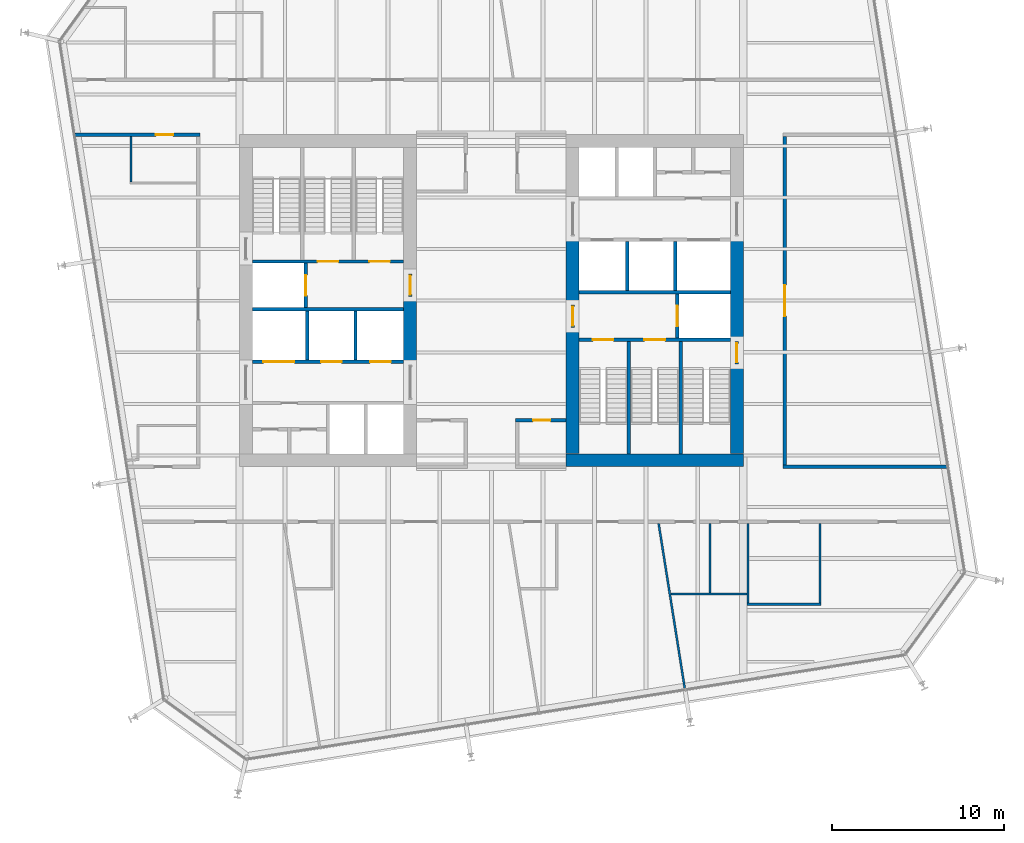
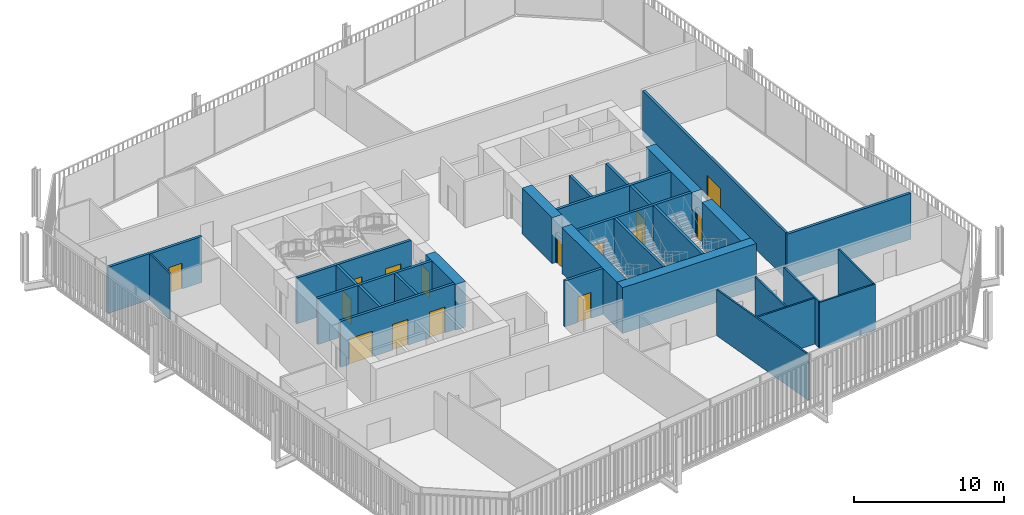
# One storey, part 18 of 21: 33 walls, 15 doors, 15 openings.
"""IFC4 building model written with IfcOpenShell, lengths in metres."""

import ifcopenshell
import ifcopenshell.guid

model = None  # the IFC model being written
_history = None  # IfcOwnerHistory: only IFC2X3 demands one
_inside = {}  # id of a spatial element -> (the spatial element, [elements in it])
_under = {}  # id of a project, library or spatial element -> (it, [spatial elements below it])
_declared = {}  # id of a project -> (the project, [libraries it declares])
_typed = {}  # id of a type object -> (the type object, [elements of that type])
_made_of = {}  # id of a material, layer set ... -> (it, [elements and type objects made of it])


def new_model(schema):
    """Start an empty IFC model of exactly this schema.

    Asked for "IFC4X3", IfcOpenShell would pick the latest addendum, in which some entities
    have other attributes; the version numbers below select the first issue.
    IFC2X3 requires an IfcOwnerHistory on every rooted entity: one is made here for all.
    """
    global model, _history
    if schema == "IFC4X3":
        model = ifcopenshell.file(schema_version=(4, 3, 0, 0))
    else:
        model = ifcopenshell.file(schema=schema)
    _inside.clear()
    _under.clear()
    _declared.clear()
    _typed.clear()
    _made_of.clear()
    _history = None
    if model.schema == "IFC2X3":
        org = make("IfcOrganization", Name="unknown")
        user = make(
            "IfcPersonAndOrganization",
            ThePerson=make("IfcPerson", FamilyName="unknown"),
            TheOrganization=org,
        )
        app = make(
            "IfcApplication",
            ApplicationDeveloper=org,
            Version="unknown",
            ApplicationFullName="unknown",
            ApplicationIdentifier="unknown",
        )
        _history = make(
            "IfcOwnerHistory",
            OwningUser=user,
            OwningApplication=app,
            ChangeAction="ADDED",
            CreationDate=0,
        )
    return model


def make(cls, **values):
    """One entity of the class cls with the attributes given. An attribute that is None is left unset."""
    return model.create_entity(
        cls, **{name: value for name, value in values.items() if value is not None}
    )


def rooted(cls, **values):
    """An entity with a GlobalId (a new one), such as an element, a storey or a relation."""
    return make(cls, GlobalId=ifcopenshell.guid.new(), OwnerHistory=_history, **values)


def si_unit(unit_type, name, prefix=None):
    """IfcSIUnit, for example si_unit("LENGTHUNIT", "METRE", prefix="MILLI")."""
    return make("IfcSIUnit", UnitType=unit_type, Prefix=prefix, Name=name)


def assignment(units):
    """IfcUnitAssignment: the units of a project."""
    return None if units is None else make("IfcUnitAssignment", Units=units)


def point(xyz):
    """IfcCartesianPoint."""
    return None if xyz is None else make("IfcCartesianPoint", Coordinates=xyz)


def direction(xyz):
    """IfcDirection."""
    return None if xyz is None else make("IfcDirection", DirectionRatios=xyz)


def frame(location, z_axis=None, x_axis=None):
    """IfcAxis2Placement3D, a coordinate frame: its origin and axes. An axis left out is left unset."""
    return make(
        "IfcAxis2Placement3D",
        Location=point(location),
        Axis=direction(z_axis),
        RefDirection=direction(x_axis),
    )


def frame_2d(location, x_axis=None):
    """IfcAxis2Placement2D, a coordinate frame in the plane: its origin and x axis."""
    return make(
        "IfcAxis2Placement2D", Location=point(location), RefDirection=direction(x_axis)
    )


def origin():
    """The frame at (0, 0, 0) with its axes left unset."""
    return frame((0.0, 0.0, 0.0))


def place(relative_to, where):
    """IfcLocalPlacement: puts the frame where relative to a parent placement (None: the world)."""
    return make(
        "IfcLocalPlacement", PlacementRelTo=relative_to, RelativePlacement=where
    )


def context(
    kind, dimensions, precision=None, world=None, true_north=None, identifier=None
):
    """IfcGeometricRepresentationContext, for example the 3D "Model" context."""
    return make(
        "IfcGeometricRepresentationContext",
        ContextIdentifier=identifier,
        ContextType=kind,
        CoordinateSpaceDimension=dimensions,
        Precision=precision,
        WorldCoordinateSystem=world,
        TrueNorth=true_north,
    )


def subcontext(parent, identifier, kind, view, scale=None):
    """IfcGeometricRepresentationSubContext, for example "Body" below "Model"."""
    return make(
        "IfcGeometricRepresentationSubContext",
        ContextIdentifier=identifier,
        ContextType=kind,
        ParentContext=parent,
        TargetScale=scale,
        TargetView=view,
    )


def project(units=None, contexts=None):
    """IfcProject with its units and contexts."""
    return rooted(
        "IfcProject",
        Name="project",
        RepresentationContexts=contexts,
        UnitsInContext=assignment(units),
    )


def spatial(cls, under=None, at=None, **own):
    """A site, building, storey or space (cls), placed at a placement, below another one or the project."""
    s = rooted(cls, ObjectPlacement=at, **own)
    if under is not None:
        _under.setdefault(under.id(), (under, []))[1].append(s)
    return s


def profile(cls, at=None, kind="AREA", **sizes):
    """A parametric profile (cls). Its sizes go by their IFC names, for example OverallWidth=200.0."""
    return make(cls, ProfileType=kind, Position=at, **sizes)


def rectangle(**sizes):
    """IfcRectangleProfileDef."""
    return profile("IfcRectangleProfileDef", **sizes)


def extrude(swept, where, along, depth):
    """IfcExtrudedAreaSolid: the profile swept, set in the frame where, extruded along a direction by depth."""
    return make(
        "IfcExtrudedAreaSolid",
        SweptArea=swept,
        Position=where,
        ExtrudedDirection=direction(along),
        Depth=depth,
    )


def shape(context_of_items, identifier, shape_type, items):
    """IfcShapeRepresentation: the items that make up one representation, for example the "Body"."""
    return make(
        "IfcShapeRepresentation",
        ContextOfItems=context_of_items,
        RepresentationIdentifier=identifier,
        RepresentationType=shape_type,
        Items=items,
    )


def material(Name=None, Category=None):
    """IfcMaterial."""
    return make("IfcMaterial", Name=Name, Category=Category)


def layer(
    of_material, thickness, ventilated=None, Name=None, Category=None, Priority=None
):
    """IfcMaterialLayer: one layer of a wall or slab, of a material (None: an air gap)."""
    return make(
        "IfcMaterialLayer",
        Material=of_material,
        LayerThickness=thickness,
        IsVentilated=ventilated,
        Name=Name,
        Category=Category,
        Priority=Priority,
    )


def layer_set(layers, Name=None):
    """IfcMaterialLayerSet."""
    return make("IfcMaterialLayerSet", MaterialLayers=layers, LayerSetName=Name)


def made_of(thing, what):
    """Note that an element or type object is made of a material, layer set ...; save() writes the relation."""
    if what is not None:
        _made_of.setdefault(what.id(), (what, []))[1].append(thing)
    return thing


def type_object(cls, material=None, **own):
    """A type object (cls), such as IfcWallType, which elements share."""
    return made_of(rooted(cls, **own), material)


def element(
    cls,
    number,
    at=None,
    inside=None,
    cuts=None,
    type_object=None,
    material=None,
    context=None,
    identifier="Body",
    shape_type=None,
    held_by="IfcProductDefinitionShape",
    body=None,
    shapes=None,
    **own,
):
    """One element of the class cls, such as IfcWall. Its Tag is "e" and its number.

    at: its placement. inside: the storey or other place that contains it. cuts: it is an
    opening in that element (IfcRelVoidsElement). A single representation is given by context,
    identifier, shape_type and body (its items); several are given by shapes. held_by: the class
    of the entity that holds the representations. save() writes the other relations.
    """
    e = rooted(cls, Tag="e%d" % number, ObjectPlacement=at, **own)
    if body is not None:
        shapes = [shape(context, identifier, shape_type, body)]
    if shapes is not None:
        e.Representation = make(held_by, Representations=shapes)
    if inside is not None:
        _inside.setdefault(inside.id(), (inside, []))[1].append(e)
    if cuts is not None:
        rooted(
            "IfcRelVoidsElement", RelatingBuildingElement=cuts, RelatedOpeningElement=e
        )
    if type_object is not None:
        _typed.setdefault(type_object.id(), (type_object, []))[1].append(e)
    return made_of(e, material)


def fill(opening, filler):
    """IfcRelFillsElement: the door or window that sits in an opening."""
    return rooted(
        "IfcRelFillsElement",
        RelatingOpeningElement=opening,
        RelatedBuildingElement=filler,
    )


def aggregate(whole, parts):
    """IfcRelAggregates: a whole, such as a stair, and the parts it consists of."""
    return rooted("IfcRelAggregates", RelatingObject=whole, RelatedObjects=parts)


def save(model, path):
    """Write the relations noted so far, then the file.

    IfcRelAggregates (storeys below a building ...), IfcRelContainedInSpatialStructure (elements
    in a storey), IfcRelDefinesByType, IfcRelAssociatesMaterial and IfcRelDeclares: one each for
    every whole, place, type object, material and project.
    """
    for whole, parts in _under.values():
        aggregate(whole, parts)
    for where, things in _inside.values():
        rooted(
            "IfcRelContainedInSpatialStructure",
            RelatedElements=things,
            RelatingStructure=where,
        )
    for kind, things in _typed.values():
        rooted("IfcRelDefinesByType", RelatedObjects=things, RelatingType=kind)
    for what, things in _made_of.values():
        rooted("IfcRelAssociatesMaterial", RelatedObjects=things, RelatingMaterial=what)
    for by, libraries in _declared.values():
        rooted("IfcRelDeclares", RelatingContext=by, RelatedDefinitions=libraries)
    model.write(path)


model = new_model("IFC4")

# Units and contexts
model_context = context("Model", 3, precision=1e-05, world=origin(), true_north=direction((0.0, 1.0)))
body_context = subcontext(model_context, "Body", "Model", "MODEL_VIEW")
ifc_project = project(units=[si_unit("LENGTHUNIT", "METRE"), si_unit("AREAUNIT", "SQUARE_METRE"), si_unit("VOLUMEUNIT", "CUBIC_METRE"), si_unit("PLANEANGLEUNIT", "RADIAN"), si_unit("MASSUNIT", "GRAM", prefix="KILO")], contexts=[model_context])

# Site, building, storey
site_placement = place(None, origin())
site = spatial("IfcSite", under=ifc_project, at=site_placement, CompositionType="ELEMENT")
building_placement = place(site_placement, origin())
building = spatial("IfcBuilding", under=site, at=building_placement, Name="Millrace Tower", CompositionType="ELEMENT")
storey_placement = place(building_placement, frame((0.0, 0.0, 164.60009765625)))
storey = spatial("IfcBuildingStorey", under=building, at=storey_placement, Name="L37", CompositionType="ELEMENT", Elevation=164.60009765625)

# Walls
ifc_material_1 = material(Name="Concrete C70", Category="concrete")
ifc_layer_1 = layer(ifc_material_1, 0.75)
ifc_layer_set_1 = layer_set([ifc_layer_1], Name="Concrete C70")
wall_type_1 = type_object("IfcWallType", Name="Core wall 750 Concrete C70", PredefinedType="SHEAR", material=ifc_layer_set_1)
wall_1_placement = place(storey_placement, frame((-4.72509765625, -3.75, 0.0), z_axis=(0.0, 0.0, 1.0), x_axis=(0.0, 1.0, 0.0)))
element("IfcWall", 1, at=wall_1_placement, inside=storey, type_object=wall_type_1, Name="Core wall W L37", PredefinedType="SHEAR", context=body_context, shape_type="SweptSolid", body=[
    extrude(rectangle(XDim=4.0, YDim=0.75, at=frame_2d((2.0, 0.0))), origin(), (0.0, 0.0, 1.0), 3.739990234375),
])
wall_2_placement = place(storey_placement, frame((14.64990234375, -9.27490234375, 0.0), z_axis=(0.0, 0.0, 1.0), x_axis=(-1.0, 0.0, 0.0)))
element("IfcWall", 2, at=wall_2_placement, inside=storey, type_object=wall_type_1, Name="Core wall E L37", PredefinedType="SHEAR", context=body_context, shape_type="SweptSolid", body=[
    extrude(rectangle(XDim=10.2998046875, YDim=0.75, at=frame_2d((5.14990234375, 0.0))), origin(), (0.0, 0.0, 1.0), 3.739990234375),
])
wall_3_placement = place(storey_placement, frame((14.27490234375, 3.75, 0.0), z_axis=(0.0, 0.0, 1.0), x_axis=(0.0, -1.0, 0.0)))
element("IfcWall", 3, at=wall_3_placement, inside=storey, type_object=wall_type_1, Name="Core wall E L37", PredefinedType="SHEAR", context=body_context, shape_type="SweptSolid", body=[
    extrude(rectangle(XDim=6.1298828125, YDim=0.75, at=frame_2d((3.06494140625, 0.0))), origin(), (0.0, 0.0, 1.0), 3.739990234375),
])
wall_4_placement = place(storey_placement, frame((14.27490234375, -3.679931640625, 0.0), z_axis=(0.0, 0.0, 1.0), x_axis=(0.0, -1.0, 0.0)))
element("IfcWall", 4, at=wall_4_placement, inside=storey, type_object=wall_type_1, Name="Core wall E L37", PredefinedType="SHEAR", context=body_context, shape_type="SweptSolid", body=[
    extrude(rectangle(XDim=5.219970703125, YDim=0.75, at=frame_2d((2.60986328125, 0.0))), origin(), (0.0, 0.0, 1.0), 3.739990234375),
])
wall_5_placement = place(storey_placement, frame((4.72509765625, 3.75, 0.0), z_axis=(0.0, 0.0, 1.0), x_axis=(0.0, -1.0, 0.0)))
element("IfcWall", 5, at=wall_5_placement, inside=storey, type_object=wall_type_1, Name="Core wall E L37", PredefinedType="SHEAR", context=body_context, shape_type="SweptSolid", body=[
    extrude(rectangle(XDim=4.0, YDim=0.75, at=frame_2d((2.0, 0.0))), origin(), (0.0, 0.0, 1.0), 3.739990234375),
])
wall_6_placement = place(storey_placement, frame((4.72509765625, -1.550048828125, 0.0), z_axis=(0.0, 0.0, 1.0), x_axis=(0.0, -1.0, 0.0)))
element("IfcWall", 6, at=wall_6_placement, inside=storey, type_object=wall_type_1, Name="Core wall E L37", PredefinedType="SHEAR", context=body_context, shape_type="SweptSolid", body=[
    extrude(rectangle(XDim=7.349853515625, YDim=0.75, at=frame_2d((3.6748046875, 0.0))), origin(), (0.0, 0.0, 1.0), 3.739990234375),
])
ifc_material_2 = material(Name="Masonry partition, fire-rated", Category="masonry")
ifc_layer_2 = layer(ifc_material_2, 0.199951171875)
ifc_layer_set_2 = layer_set([ifc_layer_2], Name="Masonry partition, fire-rated")
wall_type_2 = type_object("IfcWallType", Name="Corridor wall 200", PredefinedType="PARTITIONING", material=ifc_layer_set_2)
wall_7_placement = place(storey_placement, frame((16.949951171875, -9.64990234375, 0.0), z_axis=(0.0, 0.0, 1.0), x_axis=(1.0, 0.0, 0.0)))
element("IfcWall", 7, at=wall_7_placement, inside=storey, type_object=wall_type_2, Name="Corridor wall L37", PredefinedType="PARTITIONING", context=body_context, shape_type="SweptSolid", body=[
    extrude(rectangle(XDim=9.54638671875, YDim=0.199951171875, at=frame_2d((4.773193359375, 0.0))), origin(), (0.0, 0.0, 1.0), 3.739990234375),
])

# Wall, opening, door
wall_8_placement = place(storey_placement, frame((1.39990234375, -6.949951171875, 0.0), z_axis=(0.0, 0.0, 1.0), x_axis=(1.0, 0.0, 0.0)))
wall_8 = element("IfcWall", 8, at=wall_8_placement, inside=storey, type_object=wall_type_2, Name="Corridor wall L37", PredefinedType="PARTITIONING", context=body_context, shape_type="SweptSolid", body=[
    extrude(rectangle(XDim=2.9501953125, YDim=0.199951171875, at=frame_2d((1.47509765625, 0.0))), origin(), (0.0, 0.0, 1.0), 3.739990234375),
])
opening_1_placement = place(wall_8_placement, frame((1.02490234375, 0.0, 0.0)))
opening_1 = element("IfcOpeningElement", 9, at=opening_1_placement, cuts=wall_8, Name="Opening 37-P004", PredefinedType="OPENING", context=body_context, shape_type="SweptSolid", body=[
    extrude(rectangle(XDim=1.0, YDim=2.10009765625, at=frame_2d((0.5, 1.050048828125))), frame((0.0, 0.10986328125, 0.0), z_axis=(0.0, -1.0, 0.0), x_axis=(1.0, 0.0, 0.0)), (0.0, 0.0, 1.0), 0.219970703125),
])
ifc_material_3 = material(Name="Steel door set, fire-rated", Category="steel")
door_type_1 = type_object("IfcDoorType", Name="Corridor door 1000 x 2100", OperationType="SINGLE_SWING_LEFT", PredefinedType="DOOR", material=ifc_material_3)
door_1_placement = place(opening_1_placement, frame((1.0, 0.0, 0.0), z_axis=(0.0, 0.0, 1.0), x_axis=(-1.0, 0.0, 0.0)))
door_1 = element("IfcDoor", 10, at=door_1_placement, inside=storey, type_object=door_type_1, Name="Door 37-P004", OperationType="SINGLE_SWING_LEFT", OverallHeight=2.10009765625, OverallWidth=1.0, PredefinedType="DOOR", context=body_context, shape_type="SweptSolid", body=[
    extrude(rectangle(XDim=1.0, YDim=2.10009765625, at=frame_2d((0.5, 1.050048828125))), frame((0.0, 0.02490234375, 0.0), z_axis=(0.0, -1.0, 0.0), x_axis=(1.0, 0.0, 0.0)), (0.0, 0.0, 1.0), 0.050048828125),
])
fill(opening_1, door_1)

wall_9_placement = place(storey_placement, frame((-24.20703125, 9.64990234375, 0.0), z_axis=(0.0, 0.0, 1.0), x_axis=(1.0, 0.0, 0.0)))
wall_9 = element("IfcWall", 11, at=wall_9_placement, inside=storey, type_object=wall_type_2, Name="Corridor wall L37", PredefinedType="PARTITIONING", context=body_context, shape_type="SweptSolid", body=[
    extrude(rectangle(XDim=7.257080078125, YDim=0.199951171875, at=frame_2d((3.62841796875, 0.0))), origin(), (0.0, 0.0, 1.0), 3.739990234375),
])
opening_2_placement = place(wall_9_placement, frame((4.70703125, 0.0, 0.0)))
opening_2 = element("IfcOpeningElement", 12, at=opening_2_placement, cuts=wall_9, Name="Opening 37-P021", PredefinedType="OPENING", context=body_context, shape_type="SweptSolid", body=[
    extrude(rectangle(XDim=1.0, YDim=2.10009765625, at=frame_2d((0.5, 1.050048828125))), frame((0.0, 0.10986328125, 0.0), z_axis=(0.0, -1.0, 0.0), x_axis=(1.0, 0.0, 0.0)), (0.0, 0.0, 1.0), 0.219970703125),
])
door_2_placement = place(opening_2_placement, frame((1.0, 0.0, 0.0), z_axis=(0.0, 0.0, 1.0), x_axis=(-1.0, 0.0, 0.0)))
door_2 = element("IfcDoor", 13, at=door_2_placement, inside=storey, type_object=door_type_1, Name="Door 37-P021", OperationType="SINGLE_SWING_LEFT", OverallHeight=2.10009765625, OverallWidth=1.0, PredefinedType="DOOR", context=body_context, shape_type="SweptSolid", body=[
    extrude(rectangle(XDim=1.0, YDim=2.10009765625, at=frame_2d((0.5, 1.050048828125))), frame((0.0, 0.02490234375, 0.0), z_axis=(0.0, -1.0, 0.0), x_axis=(1.0, 0.0, 0.0)), (0.0, 0.0, 1.0), 0.050048828125),
])
fill(opening_2, door_2)

wall_10_placement = place(storey_placement, frame((17.050048828125, -9.550048828125, 0.0), z_axis=(0.0, 0.0, 1.0), x_axis=(0.0, 1.0, 0.0)))
wall_10 = element("IfcWall", 14, at=wall_10_placement, inside=storey, type_object=wall_type_2, Name="Corridor wall L37", PredefinedType="PARTITIONING", context=body_context, shape_type="SweptSolid", body=[
    extrude(rectangle(XDim=19.10009765625, YDim=0.199951171875, at=frame_2d((9.550048828125, 0.0))), origin(), (0.0, 0.0, 1.0), 3.739990234375),
])
opening_3_placement = place(wall_10_placement, frame((8.64990234375, 0.0, 0.0)))
opening_3 = element("IfcOpeningElement", 15, at=opening_3_placement, cuts=wall_10, Name="Opening 37-P009", PredefinedType="OPENING", context=body_context, shape_type="SweptSolid", body=[
    extrude(rectangle(XDim=1.800048828125, YDim=2.10009765625, at=frame_2d((0.89990234375, 1.050048828125))), frame((0.0, 0.10986328125, 0.0), z_axis=(0.0, -1.0, 0.0), x_axis=(1.0, 0.0, 0.0)), (0.0, 0.0, 1.0), 0.219970703125),
])
ifc_material_4 = material(Name="Steel door set, fire-rated", Category="steel")
door_type_2 = type_object("IfcDoorType", Name="Corridor door 1800 x 2100", OperationType="DOUBLE_DOOR_SINGLE_SWING", PredefinedType="DOOR", material=ifc_material_4)
door_3_placement = place(opening_3_placement, origin())
door_3 = element("IfcDoor", 16, at=door_3_placement, inside=storey, type_object=door_type_2, Name="Door 37-P009", OperationType="DOUBLE_DOOR_SINGLE_SWING", OverallHeight=2.10009765625, OverallWidth=1.800048828125, PredefinedType="DOOR", context=body_context, shape_type="SweptSolid", body=[
    extrude(rectangle(XDim=1.800048828125, YDim=2.10009765625, at=frame_2d((0.89990234375, 1.050048828125))), frame((0.0, 0.02490234375, 0.0), z_axis=(0.0, -1.0, 0.0), x_axis=(1.0, 0.0, 0.0)), (0.0, 0.0, 1.0), 0.050048828125),
])
fill(opening_3, door_3)

# Wall, openings, doors
ifc_material_5 = material(Name="Masonry partition, fire-rated", Category="masonry")
ifc_layer_3 = layer(ifc_material_5, 0.199951171875)
ifc_layer_set_3 = layer_set([ifc_layer_3], Name="Masonry partition, fire-rated")
wall_type_3 = type_object("IfcWallType", Name="Lift shaft wall 200", PredefinedType="PARTITIONING", material=ifc_layer_set_3)
wall_11_placement = place(storey_placement, frame((-13.89990234375, -3.550048828125, 0.0), z_axis=(0.0, 0.0, 1.0), x_axis=(1.0, 0.0, 0.0)))
wall_11 = element("IfcWall", 17, at=wall_11_placement, inside=storey, type_object=wall_type_3, Name="Lift shaft wall W L37", PredefinedType="PARTITIONING", context=body_context, shape_type="SweptSolid", body=[
    extrude(rectangle(XDim=8.7998046875, YDim=0.199951171875, at=frame_2d((4.39990234375, 0.0))), origin(), (0.0, 0.0, 1.0), 3.739990234375),
])
opening_4_placement = place(wall_11_placement, frame((0.64990234375, 0.0, 0.0)))
opening_4 = element("IfcOpeningElement", 18, at=opening_4_placement, cuts=wall_11, Name="Opening 37-LD05", PredefinedType="OPENING", context=body_context, shape_type="SweptSolid", body=[
    extrude(rectangle(XDim=1.800048828125, YDim=2.10009765625, at=frame_2d((0.89990234375, 1.050048828125))), frame((0.0, 0.10986328125, 0.0), z_axis=(0.0, -1.0, 0.0), x_axis=(1.0, 0.0, 0.0)), (0.0, 0.0, 1.0), 0.219970703125),
])
opening_5_placement = place(wall_11_placement, frame((4.0, 0.0, 0.0)))
opening_5 = element("IfcOpeningElement", 19, at=opening_5_placement, cuts=wall_11, Name="Opening 37-LD06", PredefinedType="OPENING", context=body_context, shape_type="SweptSolid", body=[
    extrude(rectangle(XDim=1.199951171875, YDim=2.10009765625, at=frame_2d((0.60009765625, 1.050048828125))), frame((0.0, 0.10986328125, 0.0), z_axis=(0.0, -1.0, 0.0), x_axis=(1.0, 0.0, 0.0)), (0.0, 0.0, 1.0), 0.219970703125),
])
opening_6_placement = place(wall_11_placement, frame((6.85009765625, 0.0, 0.0)))
opening_6 = element("IfcOpeningElement", 20, at=opening_6_placement, cuts=wall_11, Name="Opening 37-LD07", PredefinedType="OPENING", context=body_context, shape_type="SweptSolid", body=[
    extrude(rectangle(XDim=1.199951171875, YDim=2.10009765625, at=frame_2d((0.60009765625, 1.050048828125))), frame((0.0, 0.10986328125, 0.0), z_axis=(0.0, -1.0, 0.0), x_axis=(1.0, 0.0, 0.0)), (0.0, 0.0, 1.0), 0.219970703125),
])
ifc_material_6 = material(Name="Stainless steel, fire-rated", Category="steel")
door_type_3 = type_object("IfcDoorType", Name="Lift landing door 1200 x 2100", OperationType="DOUBLE_DOOR_SLIDING", PredefinedType="DOOR", material=ifc_material_6)
door_4_placement = place(opening_5_placement, origin())
door_4 = element("IfcDoor", 21, at=door_4_placement, inside=storey, type_object=door_type_3, Name="Lift landing door LF6 L37", OperationType="DOUBLE_DOOR_SLIDING", OverallHeight=2.10009765625, OverallWidth=1.199951171875, PredefinedType="DOOR", context=body_context, shape_type="SweptSolid", body=[
    extrude(rectangle(XDim=1.199951171875, YDim=2.10009765625, at=frame_2d((0.60009765625, 1.050048828125))), frame((0.0, 0.02490234375, 0.0), z_axis=(0.0, -1.0, 0.0), x_axis=(1.0, 0.0, 0.0)), (0.0, 0.0, 1.0), 0.050048828125),
])
fill(opening_5, door_4)
door_5_placement = place(opening_6_placement, origin())
door_5 = element("IfcDoor", 22, at=door_5_placement, inside=storey, type_object=door_type_3, Name="Lift landing door LF7 L37", OperationType="DOUBLE_DOOR_SLIDING", OverallHeight=2.10009765625, OverallWidth=1.199951171875, PredefinedType="DOOR", context=body_context, shape_type="SweptSolid", body=[
    extrude(rectangle(XDim=1.199951171875, YDim=2.10009765625, at=frame_2d((0.60009765625, 1.050048828125))), frame((0.0, 0.02490234375, 0.0), z_axis=(0.0, -1.0, 0.0), x_axis=(1.0, 0.0, 0.0)), (0.0, 0.0, 1.0), 0.050048828125),
])
fill(opening_6, door_5)
ifc_material_7 = material(Name="Stainless steel, fire-rated", Category="steel")
door_type_4 = type_object("IfcDoorType", Name="Lift landing door 1800 x 2100", OperationType="DOUBLE_DOOR_SLIDING", PredefinedType="DOOR", material=ifc_material_7)
door_6_placement = place(opening_4_placement, origin())
door_6 = element("IfcDoor", 23, at=door_6_placement, inside=storey, type_object=door_type_4, Name="Lift landing door LF5 L37", OperationType="DOUBLE_DOOR_SLIDING", OverallHeight=2.10009765625, OverallWidth=1.800048828125, PredefinedType="DOOR", context=body_context, shape_type="SweptSolid", body=[
    extrude(rectangle(XDim=1.800048828125, YDim=2.10009765625, at=frame_2d((0.89990234375, 1.050048828125))), frame((0.0, 0.02490234375, 0.0), z_axis=(0.0, -1.0, 0.0), x_axis=(1.0, 0.0, 0.0)), (0.0, 0.0, 1.0), 0.050048828125),
])
fill(opening_4, door_6)

# Wall
wall_12_placement = place(storey_placement, frame((-13.89990234375, -0.5, 0.0), z_axis=(0.0, 0.0, 1.0), x_axis=(1.0, 0.0, 0.0)))
element("IfcWall", 24, at=wall_12_placement, inside=storey, type_object=wall_type_3, Name="Lift shaft wall W L37", PredefinedType="PARTITIONING", context=body_context, shape_type="SweptSolid", body=[
    extrude(rectangle(XDim=8.7998046875, YDim=0.199951171875, at=frame_2d((4.39990234375, 0.0))), origin(), (0.0, 0.0, 1.0), 3.739990234375),
])

# Wall, opening, door
wall_13_placement = place(storey_placement, frame((-10.800048828125, -0.39990234375, 0.0), z_axis=(0.0, 0.0, 1.0), x_axis=(0.0, 1.0, 0.0)))
wall_13 = element("IfcWall", 25, at=wall_13_placement, inside=storey, type_object=wall_type_3, Name="Lift shaft wall W L37", PredefinedType="PARTITIONING", context=body_context, shape_type="SweptSolid", body=[
    extrude(rectangle(XDim=2.579833984375, YDim=0.199951171875, at=frame_2d((1.2900390625, 0.0))), origin(), (0.0, 0.0, 1.0), 3.739990234375),
])
opening_7_placement = place(wall_13_placement, frame((0.68994140625, 0.0, 0.0)))
opening_7 = element("IfcOpeningElement", 26, at=opening_7_placement, cuts=wall_13, Name="Opening 37-LD08", PredefinedType="OPENING", context=body_context, shape_type="SweptSolid", body=[
    extrude(rectangle(XDim=1.199951171875, YDim=2.10009765625, at=frame_2d((0.60009765625, 1.050048828125))), frame((0.0, 0.10986328125, 0.0), z_axis=(0.0, -1.0, 0.0), x_axis=(1.0, 0.0, 0.0)), (0.0, 0.0, 1.0), 0.219970703125),
])
door_7_placement = place(opening_7_placement, origin())
door_7 = element("IfcDoor", 27, at=door_7_placement, inside=storey, type_object=door_type_3, Name="Lift landing door LF8 L37", OperationType="DOUBLE_DOOR_SLIDING", OverallHeight=2.10009765625, OverallWidth=1.199951171875, PredefinedType="DOOR", context=body_context, shape_type="SweptSolid", body=[
    extrude(rectangle(XDim=1.199951171875, YDim=2.10009765625, at=frame_2d((0.60009765625, 1.050048828125))), frame((0.0, 0.02490234375, 0.0), z_axis=(0.0, -1.0, 0.0), x_axis=(1.0, 0.0, 0.0)), (0.0, 0.0, 1.0), 0.050048828125),
])
fill(opening_7, door_7)

# Walls
for number, where, z_axis, x_axis, name in (
    (28, (-10.699951171875, -3.449951171875, 0.0), (0.0, 0.0, 1.0), (0.0, 1.0, 0.0), "Lift shaft wall W L37"),
    (29, (-7.89990234375, -3.449951171875, 0.0), (0.0, 0.0, 1.0), (0.0, 1.0, 0.0), "Lift shaft wall W L37"),
):
    element("IfcWall", number, at=place(storey_placement, frame(where, z_axis=z_axis, x_axis=x_axis)), inside=storey, type_object=wall_type_3, Name=name, PredefinedType="PARTITIONING", context=body_context, shape_type="SweptSolid", body=[
        extrude(rectangle(XDim=2.849853515625, YDim=0.199951171875, at=frame_2d((1.4248046875, 0.0))), origin(), (0.0, 0.0, 1.0), 3.739990234375),
    ])
wall_14_placement = place(storey_placement, frame((13.89990234375, 0.5, 0.0), z_axis=(0.0, 0.0, 1.0), x_axis=(-1.0, 0.0, 0.0)))
element("IfcWall", 30, at=wall_14_placement, inside=storey, type_object=wall_type_3, Name="Lift shaft wall E L37", PredefinedType="PARTITIONING", context=body_context, shape_type="SweptSolid", body=[
    extrude(rectangle(XDim=8.7998046875, YDim=0.199951171875, at=frame_2d((4.39990234375, 0.0))), origin(), (0.0, 0.0, 1.0), 3.739990234375),
])

# Wall, opening, door
wall_15_placement = place(storey_placement, frame((10.800048828125, 0.39990234375, 0.0), z_axis=(0.0, 0.0, 1.0), x_axis=(0.0, -1.0, 0.0)))
wall_15 = element("IfcWall", 31, at=wall_15_placement, inside=storey, type_object=wall_type_3, Name="Lift shaft wall E L37", PredefinedType="PARTITIONING", context=body_context, shape_type="SweptSolid", body=[
    extrude(rectangle(XDim=2.579833984375, YDim=0.199951171875, at=frame_2d((1.2900390625, 0.0))), origin(), (0.0, 0.0, 1.0), 3.739990234375),
])
opening_8_placement = place(wall_15_placement, frame((0.68994140625, 0.0, 0.0)))
opening_8 = element("IfcOpeningElement", 32, at=opening_8_placement, cuts=wall_15, Name="Opening 37-LD16", PredefinedType="OPENING", context=body_context, shape_type="SweptSolid", body=[
    extrude(rectangle(XDim=1.199951171875, YDim=2.10009765625, at=frame_2d((0.60009765625, 1.050048828125))), frame((0.0, 0.10986328125, 0.0), z_axis=(0.0, -1.0, 0.0), x_axis=(1.0, 0.0, 0.0)), (0.0, 0.0, 1.0), 0.219970703125),
])
door_8_placement = place(opening_8_placement, origin())
door_8 = element("IfcDoor", 33, at=door_8_placement, inside=storey, type_object=door_type_3, Name="Lift landing door LF16 L37", OperationType="DOUBLE_DOOR_SLIDING", OverallHeight=2.10009765625, OverallWidth=1.199951171875, PredefinedType="DOOR", context=body_context, shape_type="SweptSolid", body=[
    extrude(rectangle(XDim=1.199951171875, YDim=2.10009765625, at=frame_2d((0.60009765625, 1.050048828125))), frame((0.0, 0.02490234375, 0.0), z_axis=(0.0, -1.0, 0.0), x_axis=(1.0, 0.0, 0.0)), (0.0, 0.0, 1.0), 0.050048828125),
])
fill(opening_8, door_8)

# Walls
for number, where, z_axis, x_axis, name in (
    (34, (10.699951171875, 3.449951171875, 0.0), (0.0, 0.0, 1.0), (0.0, -1.0, 0.0), "Lift shaft wall E L37"),
    (35, (7.89990234375, 3.449951171875, 0.0), (0.0, 0.0, 1.0), (0.0, -1.0, 0.0), "Lift shaft wall E L37"),
):
    element("IfcWall", number, at=place(storey_placement, frame(where, z_axis=z_axis, x_axis=x_axis)), inside=storey, type_object=wall_type_3, Name=name, PredefinedType="PARTITIONING", context=body_context, shape_type="SweptSolid", body=[
        extrude(rectangle(XDim=2.849853515625, YDim=0.199951171875, at=frame_2d((1.4248046875, 0.0))), origin(), (0.0, 0.0, 1.0), 3.739990234375),
    ])

# Wall, opening, door
ifc_material_8 = material(Name="Masonry partition, fire-rated", Category="masonry")
ifc_layer_4 = layer(ifc_material_8, 0.199951171875)
ifc_layer_set_4 = layer_set([ifc_layer_4], Name="Masonry partition, fire-rated")
wall_type_4 = type_object("IfcWallType", Name="Lobby wall 200", PredefinedType="PARTITIONING", material=ifc_layer_set_4)
wall_16_placement = place(storey_placement, frame((-4.72509765625, 0.25, 0.0), z_axis=(0.0, 0.0, 1.0), x_axis=(0.0, 1.0, 0.0)))
wall_16 = element("IfcWall", 36, at=wall_16_placement, inside=storey, type_object=wall_type_4, Name="Lobby wall W L37", PredefinedType="PARTITIONING", context=body_context, shape_type="SweptSolid", body=[
    extrude(rectangle(XDim=1.300048828125, YDim=0.199951171875, at=frame_2d((0.64990234375, 0.0))), origin(), (0.0, 0.0, 1.0), 2.39990234375),
])
opening_9_placement = place(wall_16_placement, frame((0.10009765625, 0.0, 0.0)))
opening_9 = element("IfcOpeningElement", 37, at=opening_9_placement, cuts=wall_16, Name="Opening 37-C004", PredefinedType="OPENING", context=body_context, shape_type="SweptSolid", body=[
    extrude(rectangle(XDim=1.10009765625, YDim=2.10009765625, at=frame_2d((0.550048828125, 1.050048828125))), frame((0.0, 0.10986328125, 0.0), z_axis=(0.0, -1.0, 0.0), x_axis=(1.0, 0.0, 0.0)), (0.0, 0.0, 1.0), 0.219970703125),
])
ifc_material_9 = material(Name="Steel door, fire-rated", Category="steel")
door_type_5 = type_object("IfcDoorType", Name="Lobby door 1100 x 2100", OperationType="SINGLE_SWING_LEFT", PredefinedType="DOOR", material=ifc_material_9)
door_9_placement = place(opening_9_placement, origin())
door_9 = element("IfcDoor", 38, at=door_9_placement, inside=storey, type_object=door_type_5, Name="Lobby door 37-C004", OperationType="SINGLE_SWING_RIGHT", OverallHeight=2.10009765625, OverallWidth=1.10009765625, PredefinedType="DOOR", context=body_context, shape_type="SweptSolid", body=[
    extrude(rectangle(XDim=1.10009765625, YDim=2.10009765625, at=frame_2d((0.550048828125, 1.050048828125))), frame((0.0, 0.02490234375, 0.0), z_axis=(0.0, -1.0, 0.0), x_axis=(1.0, 0.0, 0.0)), (0.0, 0.0, 1.0), 0.050048828125),
])
fill(opening_9, door_9)

wall_17_placement = place(storey_placement, frame((4.72509765625, -0.25, 0.0), z_axis=(0.0, 0.0, 1.0), x_axis=(0.0, -1.0, 0.0)))
wall_17 = element("IfcWall", 39, at=wall_17_placement, inside=storey, type_object=wall_type_4, Name="Lobby wall E L37", PredefinedType="PARTITIONING", context=body_context, shape_type="SweptSolid", body=[
    extrude(rectangle(XDim=1.300048828125, YDim=0.199951171875, at=frame_2d((0.64990234375, 0.0))), origin(), (0.0, 0.0, 1.0), 2.39990234375),
])
opening_10_placement = place(wall_17_placement, frame((0.10009765625, 0.0, 0.0)))
opening_10 = element("IfcOpeningElement", 40, at=opening_10_placement, cuts=wall_17, Name="Opening 37-C013", PredefinedType="OPENING", context=body_context, shape_type="SweptSolid", body=[
    extrude(rectangle(XDim=1.10009765625, YDim=2.10009765625, at=frame_2d((0.550048828125, 1.050048828125))), frame((0.0, 0.10986328125, 0.0), z_axis=(0.0, -1.0, 0.0), x_axis=(1.0, 0.0, 0.0)), (0.0, 0.0, 1.0), 0.219970703125),
])
door_10_placement = place(opening_10_placement, origin())
door_10 = element("IfcDoor", 41, at=door_10_placement, inside=storey, type_object=door_type_5, Name="Lobby door 37-C013", OperationType="SINGLE_SWING_LEFT", OverallHeight=2.10009765625, OverallWidth=1.10009765625, PredefinedType="DOOR", context=body_context, shape_type="SweptSolid", body=[
    extrude(rectangle(XDim=1.10009765625, YDim=2.10009765625, at=frame_2d((0.550048828125, 1.050048828125))), frame((0.0, 0.02490234375, 0.0), z_axis=(0.0, -1.0, 0.0), x_axis=(1.0, 0.0, 0.0)), (0.0, 0.0, 1.0), 0.050048828125),
])
fill(opening_10, door_10)

# Walls
ifc_material_10 = material(Name="Gypsum board partition")
ifc_layer_5 = layer(ifc_material_10, 0.1201171875)
ifc_layer_set_5 = layer_set([ifc_layer_5], Name="Gypsum board partition")
wall_type_5 = type_object("IfcWallType", Name="Partition wall 120", PredefinedType="PARTITIONING", material=ifc_layer_set_5)
wall_18_placement = place(storey_placement, frame((9.724853515625, -12.948974609375, 0.0), z_axis=(0.0, 0.0, 1.0), x_axis=(0.156559017044, -0.987668605445, 0.0)))
element("IfcWall", 42, at=wall_18_placement, inside=storey, type_object=wall_type_5, Name="Partition wall L37", PredefinedType="PARTITIONING", context=body_context, shape_type="SweptSolid", body=[
    extrude(rectangle(XDim=9.752685546875, YDim=0.1201171875, at=frame_2d((4.87646484375, 0.0))), origin(), (0.0, 0.0, 1.0), 3.739990234375),
])
wall_19_placement = place(storey_placement, frame((14.85009765625, -17.64990234375, 0.0), z_axis=(0.0, 0.0, 1.0), x_axis=(1.0, 0.0, 0.0)))
element("IfcWall", 43, at=wall_19_placement, inside=storey, type_object=wall_type_5, Name="Partition wall L37", PredefinedType="PARTITIONING", context=body_context, shape_type="SweptSolid", body=[
    extrude(rectangle(XDim=4.31982421875, YDim=0.1201171875, at=frame_2d((2.159912109375, 0.0))), origin(), (0.0, 0.0, 1.0), 3.739990234375),
])
wall_20_placement = place(storey_placement, frame((10.435546875, -17.050048828125, 0.0), z_axis=(0.0, 0.0, 1.0), x_axis=(1.0, 0.0, 0.0)))
element("IfcWall", 44, at=wall_20_placement, inside=storey, type_object=wall_type_5, Name="Partition wall L37", PredefinedType="PARTITIONING", context=body_context, shape_type="SweptSolid", body=[
    extrude(rectangle(XDim=4.41455078125, YDim=0.1201171875, at=frame_2d((2.207275390625, 0.0))), origin(), (0.0, 0.0, 1.0), 3.739990234375),
])
for number, where, z_axis, x_axis, name in (
    (45, (19.110107421875, -17.590087890625, 0.0), (0.0, 0.0, 1.0), (0.0, 1.0, 0.0), "Partition wall L37"),
    (46, (14.909912109375, -17.590087890625, 0.0), (0.0, 0.0, 1.0), (0.0, 1.0, 0.0), "Partition wall L37"),
):
    element("IfcWall", number, at=place(storey_placement, frame(where, z_axis=z_axis, x_axis=x_axis)), inside=storey, type_object=wall_type_5, Name=name, PredefinedType="PARTITIONING", context=body_context, shape_type="SweptSolid", body=[
        extrude(rectangle(XDim=4.64013671875, YDim=0.1201171875, at=frame_2d((2.320068359375, 0.0))), origin(), (0.0, 0.0, 1.0), 3.739990234375),
    ])
wall_21_placement = place(storey_placement, frame((12.7099609375, -16.989990234375, 0.0), z_axis=(0.0, 0.0, 1.0), x_axis=(0.0, 1.0, 0.0)))
element("IfcWall", 47, at=wall_21_placement, inside=storey, type_object=wall_type_5, Name="Partition wall L37", PredefinedType="PARTITIONING", context=body_context, shape_type="SweptSolid", body=[
    extrude(rectangle(XDim=4.0400390625, YDim=0.1201171875, at=frame_2d((2.02001953125, 0.0))), origin(), (0.0, 0.0, 1.0), 3.739990234375),
])
wall_22_placement = place(storey_placement, frame((-20.949951171875, 6.909912109375, 0.0), z_axis=(0.0, 0.0, 1.0), x_axis=(0.0, 1.0, 0.0)))
element("IfcWall", 48, at=wall_22_placement, inside=storey, type_object=wall_type_5, Name="Partition wall L37", PredefinedType="PARTITIONING", context=body_context, shape_type="SweptSolid", body=[
    extrude(rectangle(XDim=2.64013671875, YDim=0.1201171875, at=frame_2d((1.320068359375, 0.0))), origin(), (0.0, 0.0, 1.0), 3.739990234375),
])

# Wall, openings, doors
ifc_material_11 = material(Name="Concrete C40", Category="concrete")
ifc_layer_6 = layer(ifc_material_11, 0.199951171875)
ifc_layer_set_6 = layer_set([ifc_layer_6], Name="Concrete C40")
wall_type_6 = type_object("IfcWallType", Name="Stair enclosure wall 200 Concrete C40", PredefinedType="SHEAR", material=ifc_layer_set_6)
wall_23_placement = place(storey_placement, frame((-13.89990234375, 2.280029296875, 0.0), z_axis=(0.0, 0.0, 1.0), x_axis=(1.0, 0.0, 0.0)))
wall_23 = element("IfcWall", 49, at=wall_23_placement, inside=storey, type_object=wall_type_6, Name="Stair enclosure wall W L37", PredefinedType="SHEAR", context=body_context, shape_type="SweptSolid", body=[
    extrude(rectangle(XDim=8.7998046875, YDim=0.199951171875, at=frame_2d((4.39990234375, 0.0))), origin(), (0.0, 0.0, 1.0), 3.739990234375),
])
opening_11_placement = place(wall_23_placement, frame((3.800048828125, 0.0, 0.0)))
opening_11 = element("IfcOpeningElement", 50, at=opening_11_placement, cuts=wall_23, Name="Opening 37-C008", PredefinedType="OPENING", context=body_context, shape_type="SweptSolid", body=[
    extrude(rectangle(XDim=1.199951171875, YDim=2.10009765625, at=frame_2d((0.60009765625, 1.050048828125))), frame((0.0, 0.10986328125, 0.0), z_axis=(0.0, -1.0, 0.0), x_axis=(1.0, 0.0, 0.0)), (0.0, 0.0, 1.0), 0.219970703125),
])
opening_12_placement = place(wall_23_placement, frame((6.800048828125, 0.0, 0.0)))
opening_12 = element("IfcOpeningElement", 51, at=opening_12_placement, cuts=wall_23, Name="Opening 37-C009", PredefinedType="OPENING", context=body_context, shape_type="SweptSolid", body=[
    extrude(rectangle(XDim=1.199951171875, YDim=2.10009765625, at=frame_2d((0.60009765625, 1.050048828125))), frame((0.0, 0.10986328125, 0.0), z_axis=(0.0, -1.0, 0.0), x_axis=(1.0, 0.0, 0.0)), (0.0, 0.0, 1.0), 0.219970703125),
])
ifc_material_12 = material(Name="Steel door, fire-rated", Category="steel")
door_type_6 = type_object("IfcDoorType", Name="Stair door 1200 x 2100", OperationType="SINGLE_SWING_LEFT", PredefinedType="DOOR", material=ifc_material_12)
door_11_placement = place(opening_11_placement, frame((1.199951171875, 0.0, 0.0), z_axis=(0.0, 0.0, 1.0), x_axis=(-1.0, 0.0, 0.0)))
door_11 = element("IfcDoor", 52, at=door_11_placement, inside=storey, type_object=door_type_6, Name="Stair door 37-C008", OperationType="SINGLE_SWING_LEFT", OverallHeight=2.10009765625, OverallWidth=1.199951171875, PredefinedType="DOOR", context=body_context, shape_type="SweptSolid", body=[
    extrude(rectangle(XDim=1.199951171875, YDim=2.10009765625, at=frame_2d((0.60009765625, 1.050048828125))), frame((0.0, 0.02490234375, 0.0), z_axis=(0.0, -1.0, 0.0), x_axis=(1.0, 0.0, 0.0)), (0.0, 0.0, 1.0), 0.050048828125),
])
fill(opening_11, door_11)
door_12_placement = place(opening_12_placement, frame((1.199951171875, 0.0, 0.0), z_axis=(0.0, 0.0, 1.0), x_axis=(-1.0, 0.0, 0.0)))
door_12 = element("IfcDoor", 53, at=door_12_placement, inside=storey, type_object=door_type_6, Name="Stair door 37-C009", OperationType="SINGLE_SWING_LEFT", OverallHeight=2.10009765625, OverallWidth=1.199951171875, PredefinedType="DOOR", context=body_context, shape_type="SweptSolid", body=[
    extrude(rectangle(XDim=1.199951171875, YDim=2.10009765625, at=frame_2d((0.60009765625, 1.050048828125))), frame((0.0, 0.02490234375, 0.0), z_axis=(0.0, -1.0, 0.0), x_axis=(1.0, 0.0, 0.0)), (0.0, 0.0, 1.0), 0.050048828125),
])
fill(opening_12, door_12)

# Wall, opening, door
wall_24_placement = place(storey_placement, frame((14.27490234375, -2.3798828125, 0.0), z_axis=(0.0, 0.0, 1.0), x_axis=(0.0, -1.0, 0.0)))
wall_24 = element("IfcWall", 54, at=wall_24_placement, inside=storey, type_object=wall_type_6, Name="Stair enclosure wall E L37", PredefinedType="SHEAR", context=body_context, shape_type="SweptSolid", body=[
    extrude(rectangle(XDim=1.300048828125, YDim=0.199951171875, at=frame_2d((0.64990234375, 0.0))), origin(), (0.0, 0.0, 1.0), 2.39990234375),
])
opening_13_placement = place(wall_24_placement, frame((0.10009765625, 0.0, 0.0)))
opening_13 = element("IfcOpeningElement", 55, at=opening_13_placement, cuts=wall_24, Name="Opening 37-C011", PredefinedType="OPENING", context=body_context, shape_type="SweptSolid", body=[
    extrude(rectangle(XDim=1.10009765625, YDim=2.10009765625, at=frame_2d((0.550048828125, 1.050048828125))), frame((0.0, 0.10986328125, 0.0), z_axis=(0.0, -1.0, 0.0), x_axis=(1.0, 0.0, 0.0)), (0.0, 0.0, 1.0), 0.219970703125),
])
ifc_material_13 = material(Name="Steel door, fire-rated", Category="steel")
door_type_7 = type_object("IfcDoorType", Name="Stair door 1100 x 2100", OperationType="SINGLE_SWING_LEFT", PredefinedType="DOOR", material=ifc_material_13)
door_13_placement = place(opening_13_placement, origin())
door_13 = element("IfcDoor", 56, at=door_13_placement, inside=storey, type_object=door_type_7, Name="Stair door 37-C011", OperationType="SINGLE_SWING_RIGHT", OverallHeight=2.10009765625, OverallWidth=1.10009765625, PredefinedType="DOOR", context=body_context, shape_type="SweptSolid", body=[
    extrude(rectangle(XDim=1.10009765625, YDim=2.10009765625, at=frame_2d((0.550048828125, 1.050048828125))), frame((0.0, 0.02490234375, 0.0), z_axis=(0.0, -1.0, 0.0), x_axis=(1.0, 0.0, 0.0)), (0.0, 0.0, 1.0), 0.050048828125),
])
fill(opening_13, door_13)

# Wall, openings, doors
wall_25_placement = place(storey_placement, frame((13.89990234375, -2.280029296875, 0.0), z_axis=(0.0, 0.0, 1.0), x_axis=(-1.0, 0.0, 0.0)))
wall_25 = element("IfcWall", 57, at=wall_25_placement, inside=storey, type_object=wall_type_6, Name="Stair enclosure wall E L37", PredefinedType="SHEAR", context=body_context, shape_type="SweptSolid", body=[
    extrude(rectangle(XDim=8.7998046875, YDim=0.199951171875, at=frame_2d((4.39990234375, 0.0))), origin(), (0.0, 0.0, 1.0), 3.739990234375),
])
opening_14_placement = place(wall_25_placement, frame((3.800048828125, 0.0, 0.0)))
opening_14 = element("IfcOpeningElement", 58, at=opening_14_placement, cuts=wall_25, Name="Opening 37-C017", PredefinedType="OPENING", context=body_context, shape_type="SweptSolid", body=[
    extrude(rectangle(XDim=1.199951171875, YDim=2.10009765625, at=frame_2d((0.60009765625, 1.050048828125))), frame((0.0, 0.10986328125, 0.0), z_axis=(0.0, -1.0, 0.0), x_axis=(1.0, 0.0, 0.0)), (0.0, 0.0, 1.0), 0.219970703125),
])
opening_15_placement = place(wall_25_placement, frame((6.800048828125, 0.0, 0.0)))
opening_15 = element("IfcOpeningElement", 59, at=opening_15_placement, cuts=wall_25, Name="Opening 37-C018", PredefinedType="OPENING", context=body_context, shape_type="SweptSolid", body=[
    extrude(rectangle(XDim=1.199951171875, YDim=2.10009765625, at=frame_2d((0.60009765625, 1.050048828125))), frame((0.0, 0.10986328125, 0.0), z_axis=(0.0, -1.0, 0.0), x_axis=(1.0, 0.0, 0.0)), (0.0, 0.0, 1.0), 0.219970703125),
])
door_14_placement = place(opening_14_placement, frame((1.199951171875, 0.0, 0.0), z_axis=(0.0, 0.0, 1.0), x_axis=(-1.0, 0.0, 0.0)))
door_14 = element("IfcDoor", 60, at=door_14_placement, inside=storey, type_object=door_type_6, Name="Stair door 37-C017", OperationType="SINGLE_SWING_LEFT", OverallHeight=2.10009765625, OverallWidth=1.199951171875, PredefinedType="DOOR", context=body_context, shape_type="SweptSolid", body=[
    extrude(rectangle(XDim=1.199951171875, YDim=2.10009765625, at=frame_2d((0.60009765625, 1.050048828125))), frame((0.0, 0.02490234375, 0.0), z_axis=(0.0, -1.0, 0.0), x_axis=(1.0, 0.0, 0.0)), (0.0, 0.0, 1.0), 0.050048828125),
])
fill(opening_14, door_14)
door_15_placement = place(opening_15_placement, frame((1.199951171875, 0.0, 0.0), z_axis=(0.0, 0.0, 1.0), x_axis=(-1.0, 0.0, 0.0)))
door_15 = element("IfcDoor", 61, at=door_15_placement, inside=storey, type_object=door_type_6, Name="Stair door 37-C018", OperationType="SINGLE_SWING_LEFT", OverallHeight=2.10009765625, OverallWidth=1.199951171875, PredefinedType="DOOR", context=body_context, shape_type="SweptSolid", body=[
    extrude(rectangle(XDim=1.199951171875, YDim=2.10009765625, at=frame_2d((0.60009765625, 1.050048828125))), frame((0.0, 0.02490234375, 0.0), z_axis=(0.0, -1.0, 0.0), x_axis=(1.0, 0.0, 0.0)), (0.0, 0.0, 1.0), 0.050048828125),
])
fill(opening_15, door_15)

# Walls
for number, where, z_axis, x_axis, name in (
    (62, (11.0, -2.3798828125, 0.0), (0.0, 0.0, 1.0), (0.0, -1.0, 0.0), "Stair enclosure wall E L37"),
    (63, (8.0, -2.3798828125, 0.0), (0.0, 0.0, 1.0), (0.0, -1.0, 0.0), "Stair enclosure wall E L37"),
):
    element("IfcWall", number, at=place(storey_placement, frame(where, z_axis=z_axis, x_axis=x_axis)), inside=storey, type_object=wall_type_6, Name=name, PredefinedType="SHEAR", context=body_context, shape_type="SweptSolid", body=[
        extrude(rectangle(XDim=6.52001953125, YDim=0.199951171875, at=frame_2d((3.260009765625, 0.0))), origin(), (0.0, 0.0, 1.0), 3.739990234375),
    ])

save(model, "model.ifc")
